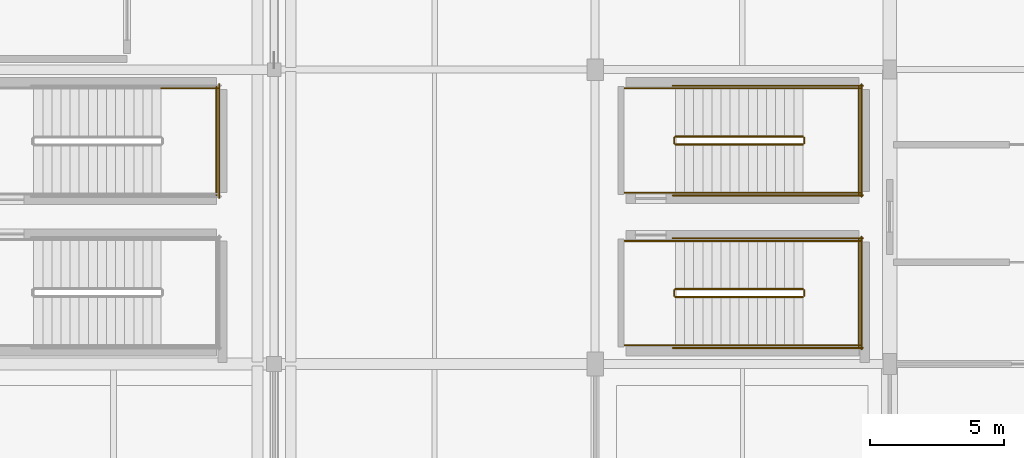
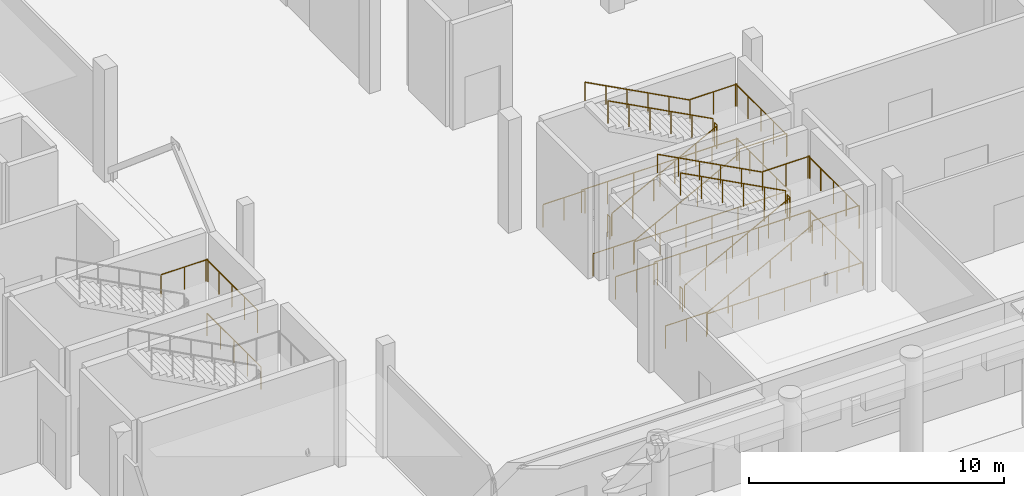
# One storey, part 111 of 120: 31 railings.
"""IFC4 building model written with IfcOpenShell, lengths in metres."""

from ifc_helpers import new_model, si_unit, direction, frame, origin, origin_2d, place, context, subcontext, project, spatial, circle, extrude, material, type_object, element, save


model = new_model("IFC4")

# Units and contexts
model_context = context("Model", 3, precision=1e-05, world=origin(), true_north=direction((0.0, 1.0)))
body_context = subcontext(model_context, "Body", "Model", "MODEL_VIEW")
ifc_project = project(units=[si_unit("LENGTHUNIT", "METRE"), si_unit("AREAUNIT", "SQUARE_METRE"), si_unit("VOLUMEUNIT", "CUBIC_METRE"), si_unit("PLANEANGLEUNIT", "RADIAN"), si_unit("MASSUNIT", "GRAM", prefix="KILO")], contexts=[model_context])

# Site, building, storey
site_placement = place(None, origin())
site = spatial("IfcSite", under=ifc_project, at=site_placement, CompositionType="ELEMENT")
building_placement = place(site_placement, origin())
building = spatial("IfcBuilding", under=site, at=building_placement, Name="Luwafu Chhajja Arena", CompositionType="ELEMENT")
storey_placement = place(building_placement, origin())
storey = spatial("IfcBuildingStorey", under=building, at=storey_placement, Name="L00", CompositionType="ELEMENT", Elevation=0.0)

# Railings
ifc_material_1 = material(Name="Stainless steel handrail", Category="steel")
railing_type_1 = type_object("IfcRailingType", Name="Stair Pitch Wall Handrail 920", PredefinedType="HANDRAIL", material=ifc_material_1)
railing_1_placement = place(storey_placement, frame((179.0, 11.699951171875, 0.179931640625)))
element("IfcRailing", 1, at=railing_1_placement, inside=storey, type_object=railing_type_1, Name="L00 ST-15 stair handrail 1", PredefinedType="HANDRAIL", context=body_context, shape_type="SweptSolid", body=[
    extrude(circle(Radius=0.02392578125, at=origin_2d()), frame((0.0, 0.0, 0.8759765625), z_axis=(0.883786813738, 0.0, 0.467889803119), x_axis=(0.0, 1.0, 0.0)), (0.0, 0.0, 1.0), 5.385986328125),
    extrude(circle(Radius=0.02099609375, at=origin_2d()), origin(), (0.0, 0.0, 1.0), 0.851806640625),
    extrude(circle(Radius=0.02099609375, at=origin_2d()), frame((0.951904296875, 0.0, 0.50390625)), (0.0, 0.0, 1.0), 0.851806640625),
    extrude(circle(Radius=0.02099609375, at=origin_2d()), frame((1.904052734375, 0.0, 1.008056640625)), (0.0, 0.0, 1.0), 0.851806640625),
    extrude(circle(Radius=0.02099609375, at=origin_2d()), frame((2.85595703125, 0.0, 1.511962890625)), (0.0, 0.0, 1.0), 0.851806640625),
    extrude(circle(Radius=0.02099609375, at=origin_2d()), frame((3.80810546875, 0.0, 2.01611328125)), (0.0, 0.0, 1.0), 0.851806640625),
    extrude(circle(Radius=0.02099609375, at=origin_2d()), frame((4.760009765625, 0.0, 2.52001953125)), (0.0, 0.0, 1.0), 0.851806640625),
])
railing_2_placement = place(storey_placement, frame((183.760009765625, 15.60009765625, 2.8798828125)))
element("IfcRailing", 2, at=railing_2_placement, inside=storey, type_object=railing_type_1, Name="L00 ST-15 stair handrail 2", PredefinedType="HANDRAIL", context=body_context, shape_type="SweptSolid", body=[
    extrude(circle(Radius=0.02392578125, at=origin_2d()), frame((0.0, 0.0, 0.8759765625), z_axis=(-0.883786813738, 0.0, 0.467889803119), x_axis=(0.0, -1.0, 0.0)), (0.0, 0.0, 1.0), 5.385986328125),
    extrude(circle(Radius=0.02099609375, at=origin_2d()), origin(), (0.0, 0.0, 1.0), 0.851806640625),
    extrude(circle(Radius=0.02099609375, at=origin_2d()), frame((-0.951904296875, 0.0, 0.50390625)), (0.0, 0.0, 1.0), 0.851806640625),
    extrude(circle(Radius=0.02099609375, at=origin_2d()), frame((-1.904052734375, 0.0, 1.008056640625)), (0.0, 0.0, 1.0), 0.851806640625),
    extrude(circle(Radius=0.02099609375, at=origin_2d()), frame((-2.85595703125, 0.0, 1.511962890625)), (0.0, 0.0, 1.0), 0.851806640625),
    extrude(circle(Radius=0.02099609375, at=origin_2d()), frame((-3.80810546875, 0.0, 2.01611328125)), (0.0, 0.0, 1.0), 0.851806640625),
    extrude(circle(Radius=0.02099609375, at=origin_2d()), frame((-4.760009765625, 0.0, 2.52001953125)), (0.0, 0.0, 1.0), 0.851806640625),
])
railing_3_placement = place(storey_placement, frame((179.0, 17.39990234375, 0.179931640625)))
element("IfcRailing", 3, at=railing_3_placement, inside=storey, type_object=railing_type_1, Name="L00 ST-16 stair handrail 1", PredefinedType="HANDRAIL", context=body_context, shape_type="SweptSolid", body=[
    extrude(circle(Radius=0.02392578125, at=origin_2d()), frame((0.0, 0.0, 0.8759765625), z_axis=(0.883786813738, 0.0, 0.467889803119), x_axis=(0.0, 1.0, 0.0)), (0.0, 0.0, 1.0), 5.385986328125),
    extrude(circle(Radius=0.02099609375, at=origin_2d()), origin(), (0.0, 0.0, 1.0), 0.851806640625),
    extrude(circle(Radius=0.02099609375, at=origin_2d()), frame((0.951904296875, 0.0, 0.50390625)), (0.0, 0.0, 1.0), 0.851806640625),
    extrude(circle(Radius=0.02099609375, at=origin_2d()), frame((1.904052734375, 0.0, 1.008056640625)), (0.0, 0.0, 1.0), 0.851806640625),
    extrude(circle(Radius=0.02099609375, at=origin_2d()), frame((2.85595703125, 0.0, 1.511962890625)), (0.0, 0.0, 1.0), 0.851806640625),
    extrude(circle(Radius=0.02099609375, at=origin_2d()), frame((3.80810546875, 0.0, 2.01611328125)), (0.0, 0.0, 1.0), 0.851806640625),
    extrude(circle(Radius=0.02099609375, at=origin_2d()), frame((4.760009765625, 0.0, 2.52001953125)), (0.0, 0.0, 1.0), 0.851806640625),
])
railing_4_placement = place(storey_placement, frame((183.760009765625, 21.300048828125, 2.8798828125)))
element("IfcRailing", 4, at=railing_4_placement, inside=storey, type_object=railing_type_1, Name="L00 ST-16 stair handrail 2", PredefinedType="HANDRAIL", context=body_context, shape_type="SweptSolid", body=[
    extrude(circle(Radius=0.02392578125, at=origin_2d()), frame((0.0, 0.0, 0.8759765625), z_axis=(-0.883786813738, 0.0, 0.467889803119), x_axis=(0.0, -1.0, 0.0)), (0.0, 0.0, 1.0), 5.385986328125),
    extrude(circle(Radius=0.02099609375, at=origin_2d()), origin(), (0.0, 0.0, 1.0), 0.851806640625),
    extrude(circle(Radius=0.02099609375, at=origin_2d()), frame((-0.951904296875, 0.0, 0.50390625)), (0.0, 0.0, 1.0), 0.851806640625),
    extrude(circle(Radius=0.02099609375, at=origin_2d()), frame((-1.904052734375, 0.0, 1.008056640625)), (0.0, 0.0, 1.0), 0.851806640625),
    extrude(circle(Radius=0.02099609375, at=origin_2d()), frame((-2.85595703125, 0.0, 1.511962890625)), (0.0, 0.0, 1.0), 0.851806640625),
    extrude(circle(Radius=0.02099609375, at=origin_2d()), frame((-3.80810546875, 0.0, 2.01611328125)), (0.0, 0.0, 1.0), 0.851806640625),
    extrude(circle(Radius=0.02099609375, at=origin_2d()), frame((-4.760009765625, 0.0, 2.52001953125)), (0.0, 0.0, 1.0), 0.851806640625),
])
ifc_material_2 = material(Name="Stainless steel balustrade", Category="steel")
railing_type_2 = type_object("IfcRailingType", Name="Stair and Terrace Guard Balustrade 1100", PredefinedType="BALUSTRADE", material=ifc_material_2)
railing_5_placement = place(storey_placement, frame((159.780029296875, 21.300048828125, 2.699951171875)))
element("IfcRailing", 5, at=railing_5_placement, inside=storey, type_object=railing_type_2, Name="L00 ST-04 stair guard 4", PredefinedType="BALUSTRADE", context=body_context, shape_type="SweptSolid", body=[
    extrude(circle(Radius=0.02392578125, at=origin_2d()), frame((0.0, 0.0, 1.076171875), z_axis=(1.0, 0.0, 0.0), x_axis=(0.0, 1.0, 0.0)), (0.0, 0.0, 1.0), 2.119873046875),
    extrude(circle(Radius=0.02099609375, at=origin_2d()), origin(), (0.0, 0.0, 1.0), 1.052001953125),
    extrude(circle(Radius=0.02099609375, at=origin_2d()), frame((1.06005859375, 0.0, 0.0)), (0.0, 0.0, 1.0), 1.052001953125),
    extrude(circle(Radius=0.02099609375, at=origin_2d()), frame((2.119873046875, 0.0, 0.0)), (0.0, 0.0, 1.0), 1.052001953125),
])
railing_6_placement = place(storey_placement, frame((161.85009765625, 17.31005859375, 2.699951171875)))
element("IfcRailing", 6, at=railing_6_placement, inside=storey, type_object=railing_type_2, Name="L00 ST-04 stair guard 5", PredefinedType="BALUSTRADE", context=body_context, shape_type="SweptSolid", body=[
    extrude(circle(Radius=0.02392578125, at=origin_2d()), frame((0.0, 0.0, 1.076171875), z_axis=(0.0, 1.0, 0.0), x_axis=(-1.0, 0.0, 0.0)), (0.0, 0.0, 1.0), 4.0400390625),
    extrude(circle(Radius=0.02099609375, at=origin_2d()), origin(), (0.0, 0.0, 1.0), 1.052001953125),
    extrude(circle(Radius=0.02099609375, at=origin_2d()), frame((0.0, 1.010009765625, 0.0)), (0.0, 0.0, 1.0), 1.052001953125),
    extrude(circle(Radius=0.02099609375, at=origin_2d()), frame((0.0, 2.02001953125, 0.0)), (0.0, 0.0, 1.0), 1.052001953125),
    extrude(circle(Radius=0.02099609375, at=origin_2d()), frame((0.0, 3.030029296875, 0.0)), (0.0, 0.0, 1.0), 1.052001953125),
    extrude(circle(Radius=0.02099609375, at=origin_2d()), frame((0.0, 4.0400390625, 0.0)), (0.0, 0.0, 1.0), 1.052001953125),
])
railing_7_placement = place(storey_placement, frame((161.949951171875, 17.2099609375, 0.0)))
element("IfcRailing", 7, at=railing_7_placement, inside=storey, type_object=railing_type_2, Name="L00 ST-04 stair guard 12", PredefinedType="BALUSTRADE", context=body_context, shape_type="SweptSolid", body=[
    extrude(circle(Radius=0.02392578125, at=origin_2d()), frame((0.0, 0.0, 1.076171875), z_axis=(0.0, 1.0, 0.0), x_axis=(-1.0, 0.0, 0.0)), (0.0, 0.0, 1.0), 4.239990234375),
    extrude(circle(Radius=0.02099609375, at=origin_2d()), origin(), (0.0, 0.0, 1.0), 1.052001953125),
    extrude(circle(Radius=0.02099609375, at=origin_2d()), frame((0.0, 1.06005859375, 0.0)), (0.0, 0.0, 1.0), 1.052001953125),
    extrude(circle(Radius=0.02099609375, at=origin_2d()), frame((0.0, 2.1201171875, 0.0)), (0.0, 0.0, 1.0), 1.052001953125),
    extrude(circle(Radius=0.02099609375, at=origin_2d()), frame((0.0, 3.179931640625, 0.0)), (0.0, 0.0, 1.0), 1.052001953125),
    extrude(circle(Radius=0.02099609375, at=origin_2d()), frame((0.0, 4.239990234375, 0.0)), (0.0, 0.0, 1.0), 1.052001953125),
])
railing_8_placement = place(storey_placement, frame((179.0, 13.5, 0.179931640625)))
element("IfcRailing", 8, at=railing_8_placement, inside=storey, type_object=railing_type_2, Name="L00 ST-15 stair guard 1", PredefinedType="BALUSTRADE", context=body_context, shape_type="SweptSolid", body=[
    extrude(circle(Radius=0.02392578125, at=origin_2d()), frame((0.0, 0.0, 1.076171875), z_axis=(0.883786813738, 0.0, 0.467889803119), x_axis=(0.0, 1.0, 0.0)), (0.0, 0.0, 1.0), 5.385986328125),
    extrude(circle(Radius=0.02099609375, at=origin_2d()), origin(), (0.0, 0.0, 1.0), 1.052001953125),
    extrude(circle(Radius=0.02099609375, at=origin_2d()), frame((0.951904296875, 0.0, 0.50390625)), (0.0, 0.0, 1.0), 1.052001953125),
    extrude(circle(Radius=0.02099609375, at=origin_2d()), frame((1.904052734375, 0.0, 1.008056640625)), (0.0, 0.0, 1.0), 1.052001953125),
    extrude(circle(Radius=0.02099609375, at=origin_2d()), frame((2.85595703125, 0.0, 1.511962890625)), (0.0, 0.0, 1.0), 1.052001953125),
    extrude(circle(Radius=0.02099609375, at=origin_2d()), frame((3.80810546875, 0.0, 2.01611328125)), (0.0, 0.0, 1.0), 1.052001953125),
    extrude(circle(Radius=0.02099609375, at=origin_2d()), frame((4.760009765625, 0.0, 2.52001953125)), (0.0, 0.0, 1.0), 1.052001953125),
])
railing_9_placement = place(storey_placement, frame((183.81005859375, 13.550048828125, 2.699951171875)))
element("IfcRailing", 9, at=railing_9_placement, inside=storey, type_object=railing_type_2, Name="L00 ST-15 stair guard 2", PredefinedType="BALUSTRADE", context=body_context, shape_type="SweptSolid", body=[
    extrude(circle(Radius=0.02392578125, at=origin_2d()), frame((0.0, 0.0, 1.076171875), z_axis=(0.0, 1.0, 0.0), x_axis=(-1.0, 0.0, 0.0)), (0.0, 0.0, 1.0), 0.199951171875),
    extrude(circle(Radius=0.02099609375, at=origin_2d()), origin(), (0.0, 0.0, 1.0), 1.052001953125),
    extrude(circle(Radius=0.02099609375, at=origin_2d()), frame((0.0, 0.199951171875, 0.0)), (0.0, 0.0, 1.0), 1.052001953125),
])
for number, where, name in (
    (10, (183.760009765625, 11.699951171875, 2.699951171875), "L00 ST-15 stair guard 3"),
    (11, (183.760009765625, 15.60009765625, 2.699951171875), "L00 ST-15 stair guard 4"),
):
    element("IfcRailing", number, at=place(storey_placement, frame(where)), inside=storey, type_object=railing_type_2, Name=name, PredefinedType="BALUSTRADE", context=body_context, shape_type="SweptSolid", body=[
        extrude(circle(Radius=0.02392578125, at=origin_2d()), frame((0.0, 0.0, 1.076171875), z_axis=(1.0, 0.0, 0.0), x_axis=(0.0, 1.0, 0.0)), (0.0, 0.0, 1.0), 2.139892578125),
        extrude(circle(Radius=0.02099609375, at=origin_2d()), origin(), (0.0, 0.0, 1.0), 1.052001953125),
        extrude(circle(Radius=0.02099609375, at=origin_2d()), frame((1.06982421875, 0.0, 0.0)), (0.0, 0.0, 1.0), 1.052001953125),
        extrude(circle(Radius=0.02099609375, at=origin_2d()), frame((2.139892578125, 0.0, 0.0)), (0.0, 0.0, 1.0), 1.052001953125),
    ])
railing_10_placement = place(storey_placement, frame((185.85009765625, 11.64990234375, 2.699951171875)))
element("IfcRailing", 12, at=railing_10_placement, inside=storey, type_object=railing_type_2, Name="L00 ST-15 stair guard 5", PredefinedType="BALUSTRADE", context=body_context, shape_type="SweptSolid", body=[
    extrude(circle(Radius=0.02392578125, at=origin_2d()), frame((0.0, 0.0, 1.076171875), z_axis=(0.0, 1.0, 0.0), x_axis=(-1.0, 0.0, 0.0)), (0.0, 0.0, 1.0), 4.0),
    extrude(circle(Radius=0.02099609375, at=origin_2d()), origin(), (0.0, 0.0, 1.0), 1.052001953125),
    extrude(circle(Radius=0.02099609375, at=origin_2d()), frame((0.0, 1.0, 0.0)), (0.0, 0.0, 1.0), 1.052001953125),
    extrude(circle(Radius=0.02099609375, at=origin_2d()), frame((0.0, 2.0, 0.0)), (0.0, 0.0, 1.0), 1.052001953125),
    extrude(circle(Radius=0.02099609375, at=origin_2d()), frame((0.0, 3.0, 0.0)), (0.0, 0.0, 1.0), 1.052001953125),
    extrude(circle(Radius=0.02099609375, at=origin_2d()), frame((0.0, 4.0, 0.0)), (0.0, 0.0, 1.0), 1.052001953125),
])
railing_11_placement = place(storey_placement, frame((183.760009765625, 13.800048828125, 2.8798828125)))
element("IfcRailing", 13, at=railing_11_placement, inside=storey, type_object=railing_type_2, Name="L00 ST-15 stair guard 6", PredefinedType="BALUSTRADE", context=body_context, shape_type="SweptSolid", body=[
    extrude(circle(Radius=0.02392578125, at=origin_2d()), frame((0.0, 0.0, 1.076171875), z_axis=(-0.883786813738, 0.0, 0.467889803119), x_axis=(0.0, -1.0, 0.0)), (0.0, 0.0, 1.0), 5.385986328125),
    extrude(circle(Radius=0.02099609375, at=origin_2d()), origin(), (0.0, 0.0, 1.0), 1.052001953125),
    extrude(circle(Radius=0.02099609375, at=origin_2d()), frame((-0.951904296875, 0.0, 0.50390625)), (0.0, 0.0, 1.0), 1.052001953125),
    extrude(circle(Radius=0.02099609375, at=origin_2d()), frame((-1.904052734375, 0.0, 1.008056640625)), (0.0, 0.0, 1.0), 1.052001953125),
    extrude(circle(Radius=0.02099609375, at=origin_2d()), frame((-2.85595703125, 0.0, 1.511962890625)), (0.0, 0.0, 1.0), 1.052001953125),
    extrude(circle(Radius=0.02099609375, at=origin_2d()), frame((-3.80810546875, 0.0, 2.01611328125)), (0.0, 0.0, 1.0), 1.052001953125),
    extrude(circle(Radius=0.02099609375, at=origin_2d()), frame((-4.760009765625, 0.0, 2.52001953125)), (0.0, 0.0, 1.0), 1.052001953125),
])
railing_12_placement = place(storey_placement, frame((178.949951171875, 13.550048828125, 0.0)))
element("IfcRailing", 14, at=railing_12_placement, inside=storey, type_object=railing_type_2, Name="L00 ST-15 stair guard 7", PredefinedType="BALUSTRADE", context=body_context, shape_type="SweptSolid", body=[
    extrude(circle(Radius=0.02392578125, at=origin_2d()), frame((0.0, 0.0, 1.076171875), z_axis=(0.0, 1.0, 0.0), x_axis=(-1.0, 0.0, 0.0)), (0.0, 0.0, 1.0), 0.199951171875),
    extrude(circle(Radius=0.02099609375, at=origin_2d()), origin(), (0.0, 0.0, 1.0), 1.052001953125),
    extrude(circle(Radius=0.02099609375, at=origin_2d()), frame((0.0, 0.199951171875, 0.0)), (0.0, 0.0, 1.0), 1.052001953125),
])
for number, where, name in (
    (15, (177.10009765625, 11.699951171875, 0.0), "L00 ST-15 stair guard 8"),
    (16, (177.10009765625, 15.60009765625, 0.0), "L00 ST-15 stair guard 9"),
):
    element("IfcRailing", number, at=place(storey_placement, frame(where)), inside=storey, type_object=railing_type_2, Name=name, PredefinedType="BALUSTRADE", context=body_context, shape_type="SweptSolid", body=[
        extrude(circle(Radius=0.02392578125, at=origin_2d()), frame((0.0, 0.0, 1.076171875), z_axis=(1.0, 0.0, 0.0), x_axis=(0.0, 1.0, 0.0)), (0.0, 0.0, 1.0), 1.89990234375),
        extrude(circle(Radius=0.02099609375, at=origin_2d()), origin(), (0.0, 0.0, 1.0), 1.052001953125),
        extrude(circle(Radius=0.02099609375, at=origin_2d()), frame((0.949951171875, 0.0, 0.0)), (0.0, 0.0, 1.0), 1.052001953125),
        extrude(circle(Radius=0.02099609375, at=origin_2d()), frame((1.89990234375, 0.0, 0.0)), (0.0, 0.0, 1.0), 1.052001953125),
    ])
for number, where, name in (
    (17, (178.89990234375, 11.60009765625, 0.0), "L00 ST-15 stair guard 10"),
    (18, (178.89990234375, 15.699951171875, 0.0), "L00 ST-15 stair guard 11"),
):
    element("IfcRailing", number, at=place(storey_placement, frame(where)), inside=storey, type_object=railing_type_2, Name=name, PredefinedType="BALUSTRADE", context=body_context, shape_type="SweptSolid", body=[
        extrude(circle(Radius=0.02392578125, at=origin_2d()), frame((0.0, 0.0, 1.076171875), z_axis=(1.0, 0.0, 0.0), x_axis=(0.0, 1.0, 0.0)), (0.0, 0.0, 1.0), 7.10009765625),
        extrude(circle(Radius=0.02099609375, at=origin_2d()), origin(), (0.0, 0.0, 1.0), 1.052001953125),
        extrude(circle(Radius=0.02099609375, at=origin_2d()), frame((1.183349609375, 0.0, 0.0)), (0.0, 0.0, 1.0), 1.052001953125),
        extrude(circle(Radius=0.02099609375, at=origin_2d()), frame((2.36669921875, 0.0, 0.0)), (0.0, 0.0, 1.0), 1.052001953125),
        extrude(circle(Radius=0.02099609375, at=origin_2d()), frame((3.550048828125, 0.0, 0.0)), (0.0, 0.0, 1.0), 1.052001953125),
        extrude(circle(Radius=0.02099609375, at=origin_2d()), frame((4.7333984375, 0.0, 0.0)), (0.0, 0.0, 1.0), 1.052001953125),
        extrude(circle(Radius=0.02099609375, at=origin_2d()), frame((5.916748046875, 0.0, 0.0)), (0.0, 0.0, 1.0), 1.052001953125),
        extrude(circle(Radius=0.02099609375, at=origin_2d()), frame((7.10009765625, 0.0, 0.0)), (0.0, 0.0, 1.0), 1.052001953125),
    ])
railing_13_placement = place(storey_placement, frame((185.949951171875, 11.550048828125, 0.0)))
element("IfcRailing", 19, at=railing_13_placement, inside=storey, type_object=railing_type_2, Name="L00 ST-15 stair guard 12", PredefinedType="BALUSTRADE", context=body_context, shape_type="SweptSolid", body=[
    extrude(circle(Radius=0.02392578125, at=origin_2d()), frame((0.0, 0.0, 1.076171875), z_axis=(0.0, 1.0, 0.0), x_axis=(-1.0, 0.0, 0.0)), (0.0, 0.0, 1.0), 4.199951171875),
    extrude(circle(Radius=0.02099609375, at=origin_2d()), origin(), (0.0, 0.0, 1.0), 1.052001953125),
    extrude(circle(Radius=0.02099609375, at=origin_2d()), frame((0.0, 1.050048828125, 0.0)), (0.0, 0.0, 1.0), 1.052001953125),
    extrude(circle(Radius=0.02099609375, at=origin_2d()), frame((0.0, 2.10009765625, 0.0)), (0.0, 0.0, 1.0), 1.052001953125),
    extrude(circle(Radius=0.02099609375, at=origin_2d()), frame((0.0, 3.14990234375, 0.0)), (0.0, 0.0, 1.0), 1.052001953125),
    extrude(circle(Radius=0.02099609375, at=origin_2d()), frame((0.0, 4.199951171875, 0.0)), (0.0, 0.0, 1.0), 1.052001953125),
])
railing_14_placement = place(storey_placement, frame((179.0, 19.199951171875, 0.179931640625)))
element("IfcRailing", 20, at=railing_14_placement, inside=storey, type_object=railing_type_2, Name="L00 ST-16 stair guard 1", PredefinedType="BALUSTRADE", context=body_context, shape_type="SweptSolid", body=[
    extrude(circle(Radius=0.02392578125, at=origin_2d()), frame((0.0, 0.0, 1.076171875), z_axis=(0.883786813738, 0.0, 0.467889803119), x_axis=(0.0, 1.0, 0.0)), (0.0, 0.0, 1.0), 5.385986328125),
    extrude(circle(Radius=0.02099609375, at=origin_2d()), origin(), (0.0, 0.0, 1.0), 1.052001953125),
    extrude(circle(Radius=0.02099609375, at=origin_2d()), frame((0.951904296875, 0.0, 0.50390625)), (0.0, 0.0, 1.0), 1.052001953125),
    extrude(circle(Radius=0.02099609375, at=origin_2d()), frame((1.904052734375, 0.0, 1.008056640625)), (0.0, 0.0, 1.0), 1.052001953125),
    extrude(circle(Radius=0.02099609375, at=origin_2d()), frame((2.85595703125, 0.0, 1.511962890625)), (0.0, 0.0, 1.0), 1.052001953125),
    extrude(circle(Radius=0.02099609375, at=origin_2d()), frame((3.80810546875, 0.0, 2.01611328125)), (0.0, 0.0, 1.0), 1.052001953125),
    extrude(circle(Radius=0.02099609375, at=origin_2d()), frame((4.760009765625, 0.0, 2.52001953125)), (0.0, 0.0, 1.0), 1.052001953125),
])
railing_15_placement = place(storey_placement, frame((183.81005859375, 19.25, 2.699951171875)))
element("IfcRailing", 21, at=railing_15_placement, inside=storey, type_object=railing_type_2, Name="L00 ST-16 stair guard 2", PredefinedType="BALUSTRADE", context=body_context, shape_type="SweptSolid", body=[
    extrude(circle(Radius=0.02392578125, at=origin_2d()), frame((0.0, 0.0, 1.076171875), z_axis=(0.0, 1.0, 0.0), x_axis=(-1.0, 0.0, 0.0)), (0.0, 0.0, 1.0), 0.199951171875),
    extrude(circle(Radius=0.02099609375, at=origin_2d()), origin(), (0.0, 0.0, 1.0), 1.052001953125),
    extrude(circle(Radius=0.02099609375, at=origin_2d()), frame((0.0, 0.199951171875, 0.0)), (0.0, 0.0, 1.0), 1.052001953125),
])
for number, where, name in (
    (22, (183.760009765625, 17.39990234375, 2.699951171875), "L00 ST-16 stair guard 3"),
    (23, (183.760009765625, 21.300048828125, 2.699951171875), "L00 ST-16 stair guard 4"),
):
    element("IfcRailing", number, at=place(storey_placement, frame(where)), inside=storey, type_object=railing_type_2, Name=name, PredefinedType="BALUSTRADE", context=body_context, shape_type="SweptSolid", body=[
        extrude(circle(Radius=0.02392578125, at=origin_2d()), frame((0.0, 0.0, 1.076171875), z_axis=(1.0, 0.0, 0.0), x_axis=(0.0, 1.0, 0.0)), (0.0, 0.0, 1.0), 2.139892578125),
        extrude(circle(Radius=0.02099609375, at=origin_2d()), origin(), (0.0, 0.0, 1.0), 1.052001953125),
        extrude(circle(Radius=0.02099609375, at=origin_2d()), frame((1.06982421875, 0.0, 0.0)), (0.0, 0.0, 1.0), 1.052001953125),
        extrude(circle(Radius=0.02099609375, at=origin_2d()), frame((2.139892578125, 0.0, 0.0)), (0.0, 0.0, 1.0), 1.052001953125),
    ])
railing_16_placement = place(storey_placement, frame((185.85009765625, 17.35009765625, 2.699951171875)))
element("IfcRailing", 24, at=railing_16_placement, inside=storey, type_object=railing_type_2, Name="L00 ST-16 stair guard 5", PredefinedType="BALUSTRADE", context=body_context, shape_type="SweptSolid", body=[
    extrude(circle(Radius=0.02392578125, at=origin_2d()), frame((0.0, 0.0, 1.076171875), z_axis=(0.0, 1.0, 0.0), x_axis=(-1.0, 0.0, 0.0)), (0.0, 0.0, 1.0), 4.0),
    extrude(circle(Radius=0.02099609375, at=origin_2d()), origin(), (0.0, 0.0, 1.0), 1.052001953125),
    extrude(circle(Radius=0.02099609375, at=origin_2d()), frame((0.0, 1.0, 0.0)), (0.0, 0.0, 1.0), 1.052001953125),
    extrude(circle(Radius=0.02099609375, at=origin_2d()), frame((0.0, 2.0, 0.0)), (0.0, 0.0, 1.0), 1.052001953125),
    extrude(circle(Radius=0.02099609375, at=origin_2d()), frame((0.0, 3.0, 0.0)), (0.0, 0.0, 1.0), 1.052001953125),
    extrude(circle(Radius=0.02099609375, at=origin_2d()), frame((0.0, 4.0, 0.0)), (0.0, 0.0, 1.0), 1.052001953125),
])
railing_17_placement = place(storey_placement, frame((183.760009765625, 19.5, 2.8798828125)))
element("IfcRailing", 25, at=railing_17_placement, inside=storey, type_object=railing_type_2, Name="L00 ST-16 stair guard 6", PredefinedType="BALUSTRADE", context=body_context, shape_type="SweptSolid", body=[
    extrude(circle(Radius=0.02392578125, at=origin_2d()), frame((0.0, 0.0, 1.076171875), z_axis=(-0.883786813738, 0.0, 0.467889803119), x_axis=(0.0, -1.0, 0.0)), (0.0, 0.0, 1.0), 5.385986328125),
    extrude(circle(Radius=0.02099609375, at=origin_2d()), origin(), (0.0, 0.0, 1.0), 1.052001953125),
    extrude(circle(Radius=0.02099609375, at=origin_2d()), frame((-0.951904296875, 0.0, 0.50390625)), (0.0, 0.0, 1.0), 1.052001953125),
    extrude(circle(Radius=0.02099609375, at=origin_2d()), frame((-1.904052734375, 0.0, 1.008056640625)), (0.0, 0.0, 1.0), 1.052001953125),
    extrude(circle(Radius=0.02099609375, at=origin_2d()), frame((-2.85595703125, 0.0, 1.511962890625)), (0.0, 0.0, 1.0), 1.052001953125),
    extrude(circle(Radius=0.02099609375, at=origin_2d()), frame((-3.80810546875, 0.0, 2.01611328125)), (0.0, 0.0, 1.0), 1.052001953125),
    extrude(circle(Radius=0.02099609375, at=origin_2d()), frame((-4.760009765625, 0.0, 2.52001953125)), (0.0, 0.0, 1.0), 1.052001953125),
])
railing_18_placement = place(storey_placement, frame((178.949951171875, 19.25, 0.0)))
element("IfcRailing", 26, at=railing_18_placement, inside=storey, type_object=railing_type_2, Name="L00 ST-16 stair guard 7", PredefinedType="BALUSTRADE", context=body_context, shape_type="SweptSolid", body=[
    extrude(circle(Radius=0.02392578125, at=origin_2d()), frame((0.0, 0.0, 1.076171875), z_axis=(0.0, 1.0, 0.0), x_axis=(-1.0, 0.0, 0.0)), (0.0, 0.0, 1.0), 0.199951171875),
    extrude(circle(Radius=0.02099609375, at=origin_2d()), origin(), (0.0, 0.0, 1.0), 1.052001953125),
    extrude(circle(Radius=0.02099609375, at=origin_2d()), frame((0.0, 0.199951171875, 0.0)), (0.0, 0.0, 1.0), 1.052001953125),
])
for number, where, name in (
    (27, (177.10009765625, 17.39990234375, 0.0), "L00 ST-16 stair guard 8"),
    (28, (177.10009765625, 21.300048828125, 0.0), "L00 ST-16 stair guard 9"),
):
    element("IfcRailing", number, at=place(storey_placement, frame(where)), inside=storey, type_object=railing_type_2, Name=name, PredefinedType="BALUSTRADE", context=body_context, shape_type="SweptSolid", body=[
        extrude(circle(Radius=0.02392578125, at=origin_2d()), frame((0.0, 0.0, 1.076171875), z_axis=(1.0, 0.0, 0.0), x_axis=(0.0, 1.0, 0.0)), (0.0, 0.0, 1.0), 1.89990234375),
        extrude(circle(Radius=0.02099609375, at=origin_2d()), origin(), (0.0, 0.0, 1.0), 1.052001953125),
        extrude(circle(Radius=0.02099609375, at=origin_2d()), frame((0.949951171875, 0.0, 0.0)), (0.0, 0.0, 1.0), 1.052001953125),
        extrude(circle(Radius=0.02099609375, at=origin_2d()), frame((1.89990234375, 0.0, 0.0)), (0.0, 0.0, 1.0), 1.052001953125),
    ])
for number, where, name in (
    (29, (178.89990234375, 17.300048828125, 0.0), "L00 ST-16 stair guard 10"),
    (30, (178.89990234375, 21.39990234375, 0.0), "L00 ST-16 stair guard 11"),
):
    element("IfcRailing", number, at=place(storey_placement, frame(where)), inside=storey, type_object=railing_type_2, Name=name, PredefinedType="BALUSTRADE", context=body_context, shape_type="SweptSolid", body=[
        extrude(circle(Radius=0.02392578125, at=origin_2d()), frame((0.0, 0.0, 1.076171875), z_axis=(1.0, 0.0, 0.0), x_axis=(0.0, 1.0, 0.0)), (0.0, 0.0, 1.0), 7.10009765625),
        extrude(circle(Radius=0.02099609375, at=origin_2d()), origin(), (0.0, 0.0, 1.0), 1.052001953125),
        extrude(circle(Radius=0.02099609375, at=origin_2d()), frame((1.183349609375, 0.0, 0.0)), (0.0, 0.0, 1.0), 1.052001953125),
        extrude(circle(Radius=0.02099609375, at=origin_2d()), frame((2.36669921875, 0.0, 0.0)), (0.0, 0.0, 1.0), 1.052001953125),
        extrude(circle(Radius=0.02099609375, at=origin_2d()), frame((3.550048828125, 0.0, 0.0)), (0.0, 0.0, 1.0), 1.052001953125),
        extrude(circle(Radius=0.02099609375, at=origin_2d()), frame((4.7333984375, 0.0, 0.0)), (0.0, 0.0, 1.0), 1.052001953125),
        extrude(circle(Radius=0.02099609375, at=origin_2d()), frame((5.916748046875, 0.0, 0.0)), (0.0, 0.0, 1.0), 1.052001953125),
        extrude(circle(Radius=0.02099609375, at=origin_2d()), frame((7.10009765625, 0.0, 0.0)), (0.0, 0.0, 1.0), 1.052001953125),
    ])
railing_19_placement = place(storey_placement, frame((185.949951171875, 17.25, 0.0)))
element("IfcRailing", 31, at=railing_19_placement, inside=storey, type_object=railing_type_2, Name="L00 ST-16 stair guard 12", PredefinedType="BALUSTRADE", context=body_context, shape_type="SweptSolid", body=[
    extrude(circle(Radius=0.02392578125, at=origin_2d()), frame((0.0, 0.0, 1.076171875), z_axis=(0.0, 1.0, 0.0), x_axis=(-1.0, 0.0, 0.0)), (0.0, 0.0, 1.0), 4.199951171875),
    extrude(circle(Radius=0.02099609375, at=origin_2d()), origin(), (0.0, 0.0, 1.0), 1.052001953125),
    extrude(circle(Radius=0.02099609375, at=origin_2d()), frame((0.0, 1.050048828125, 0.0)), (0.0, 0.0, 1.0), 1.052001953125),
    extrude(circle(Radius=0.02099609375, at=origin_2d()), frame((0.0, 2.10009765625, 0.0)), (0.0, 0.0, 1.0), 1.052001953125),
    extrude(circle(Radius=0.02099609375, at=origin_2d()), frame((0.0, 3.14990234375, 0.0)), (0.0, 0.0, 1.0), 1.052001953125),
    extrude(circle(Radius=0.02099609375, at=origin_2d()), frame((0.0, 4.199951171875, 0.0)), (0.0, 0.0, 1.0), 1.052001953125),
])

save(model, "model.ifc")
